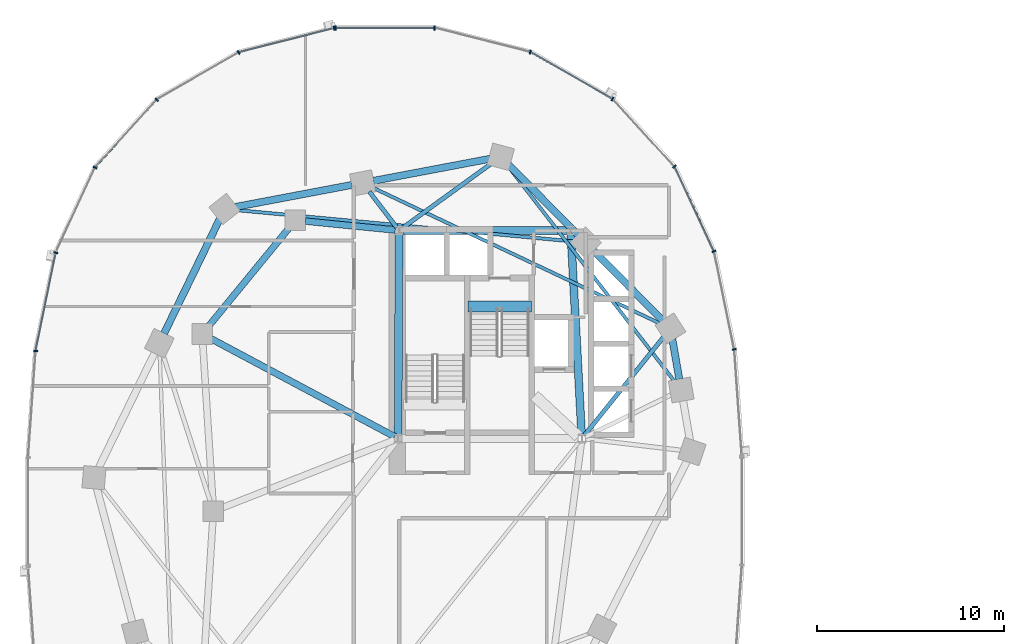
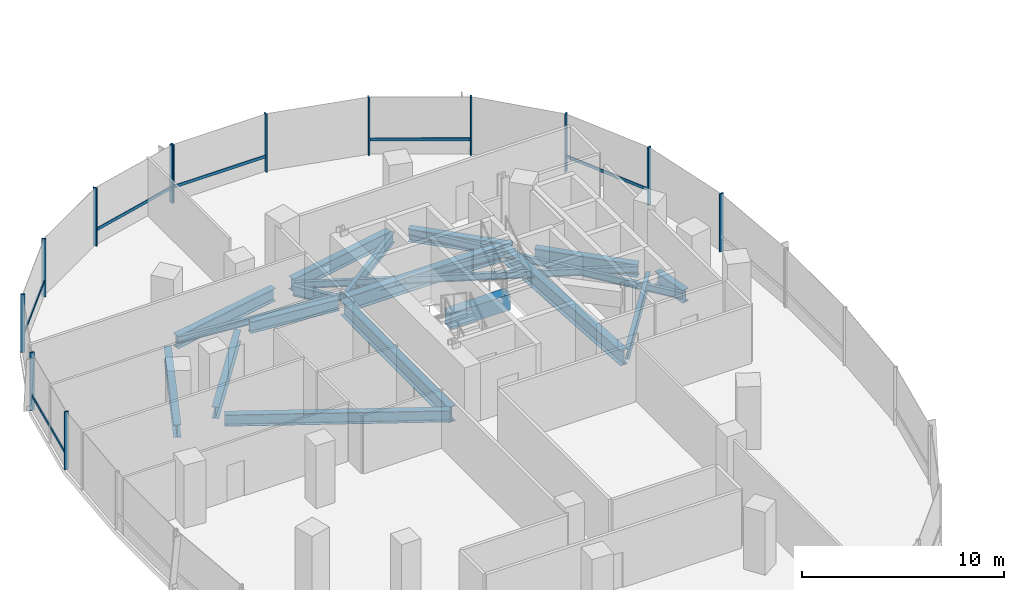
# One storey, part 4 of 21: 19 beams, 19 members, 2 elements without a shape of their own.
"""IFC4 building model written with IfcOpenShell, lengths in metres."""

from ifc_helpers import new_model, si_unit, direction, frame, origin, origin_2d, place, context, subcontext, project, spatial, rectangle, i_section, extrude, material, material_profile, profile_set, type_object, element, aggregate, save


model = new_model("IFC4")

# Units and contexts
model_context = context("Model", 3, precision=1e-05, world=origin(), true_north=direction((0.0, 1.0)))
body_context = subcontext(model_context, "Body", "Model", "MODEL_VIEW")
ifc_project = project(units=[si_unit("LENGTHUNIT", "METRE"), si_unit("AREAUNIT", "SQUARE_METRE"), si_unit("VOLUMEUNIT", "CUBIC_METRE"), si_unit("PLANEANGLEUNIT", "RADIAN"), si_unit("MASSUNIT", "GRAM", prefix="KILO"), si_unit("THERMODYNAMICTEMPERATUREUNIT", "KELVIN"), si_unit("POWERUNIT", "WATT")], contexts=[model_context])

# Site, building, storey
site_placement = place(None, origin())
site = spatial("IfcSite", under=ifc_project, at=site_placement, CompositionType="ELEMENT")
building_placement = place(site_placement, origin())
building = spatial("IfcBuilding", under=site, at=building_placement, Name="Cundina Bronze Exchange", CompositionType="ELEMENT")
storey_placement = place(building_placement, frame((0.0, 0.0, 27.800048828125)))
storey = spatial("IfcBuildingStorey", under=building, at=storey_placement, Name="L06", CompositionType="ELEMENT", Elevation=27.800048828125)

# Beams
ifc_material_1 = material(Name="Concrete C60/75", Category="concrete")
ifc_material_profile_1 = material_profile(ifc_material_1, rectangle(XDim=0.60009765625, YDim=0.949951171875, at=origin_2d()), Name="RC600X950", Category="concrete")
ifc_profile_set_1 = profile_set([ifc_material_profile_1], Name="Concrete C60/75")
beam_type_1 = type_object("IfcBeamType", Name="BM-COUP-RC950", PredefinedType="LINTEL", material=ifc_profile_set_1)
beam_1_placement = place(storey_placement, frame((-27.56005859375, 10.97998046875, -0.47509765625), z_axis=(1.0, 0.0, 0.0), x_axis=(0.0, 1.0, 0.0)))
element("IfcBeam", 1, at=beam_1_placement, inside=storey, type_object=beam_type_1, Name="L06 Stair W2 Landing Header Beam", PredefinedType="LINTEL", context=body_context, shape_type="SweptSolid", body=[
    extrude(rectangle(XDim=0.60009765625, YDim=0.949951171875, at=origin_2d()), origin(), (0.0, 0.0, 1.0), 3.400146484375),
])
ifc_material_2 = material(Name="Steel ASTM A992 Grade 50", Category="steel")
ifc_material_profile_2 = material_profile(ifc_material_2, i_section(OverallWidth=0.22998046875, OverallDepth=0.616943359375, WebThickness=0.01318359375, FlangeThickness=0.022216796875, FilletRadius=0.013916015625, at=origin_2d()), Name="W24X94", Category="steel")
ifc_profile_set_2 = profile_set([ifc_material_profile_2], Name="Steel ASTM A992 Grade 50")
beam_type_2 = type_object("IfcBeamType", Name="BM-FLR-W24B", PredefinedType="BEAM", material=ifc_profile_set_2)
beam_2_placement = place(storey_placement, frame((-21.322021484375, 4.058837890625, -0.608642578125), z_axis=(0.627106366175, 0.778933633568, 0.0), x_axis=(-0.778933633568, 0.627106366175, 0.0)))
element("IfcBeam", 2, at=beam_2_placement, inside=storey, type_object=beam_type_2, Name="L06 Leg W Radial Floor Beam 02", PredefinedType="BEAM", context=body_context, shape_type="SweptSolid", body=[
    extrude(i_section(OverallWidth=0.22998046875, OverallDepth=0.616943359375, WebThickness=0.01318359375, FlangeThickness=0.022216796875, FilletRadius=0.013916015625, at=origin_2d()), origin(), (0.0, 0.0, 1.0), 6.78271484375),
])
beam_3_placement = place(storey_placement, frame((-31.084716796875, 15.169677734375, -0.608642578125), z_axis=(0.809700299677, 0.586843611794, 0.0), x_axis=(-0.586843611794, 0.809700299677, 0.0)))
element("IfcBeam", 3, at=beam_3_placement, inside=storey, type_object=beam_type_2, Name="L06 Leg W Radial Floor Beam 04", PredefinedType="BEAM", context=body_context, shape_type="SweptSolid", body=[
    extrude(i_section(OverallWidth=0.22998046875, OverallDepth=0.616943359375, WebThickness=0.01318359375, FlangeThickness=0.022216796875, FilletRadius=0.013916015625, at=origin_2d()), origin(), (0.0, 0.0, 1.0), 5.938720703125),
])
beam_4_placement = place(storey_placement, frame((-31.373779296875, 15.2119140625, -0.608642578125), z_axis=(-0.607468844289, 0.794343504548, 0.0), x_axis=(-0.794343504548, -0.607468844289, 0.0)))
element("IfcBeam", 4, at=beam_4_placement, inside=storey, type_object=beam_type_2, Name="L06 Leg W Radial Floor Beam 05", PredefinedType="BEAM", context=body_context, shape_type="SweptSolid", body=[
    extrude(i_section(OverallWidth=0.22998046875, OverallDepth=0.616943359375, WebThickness=0.01318359375, FlangeThickness=0.022216796875, FilletRadius=0.013916015625, at=origin_2d()), origin(), (0.0, 0.0, 1.0), 2.418212890625),
])
ifc_material_profile_3 = material_profile(ifc_material_2, i_section(OverallWidth=0.178955078125, OverallDepth=0.409912109375, WebThickness=0.0087890625, FlangeThickness=0.014404296875, FilletRadius=0.010986328125, at=origin_2d()), Name="W16X45", Category="steel")
ifc_profile_set_3 = profile_set([ifc_material_profile_3], Name="Steel ASTM A992 Grade 50")
beam_type_3 = type_object("IfcBeamType", Name="BM-JST-W16", PredefinedType="JOIST", material=ifc_profile_set_3)
beam_5_placement = place(storey_placement, frame((-16.48486328125, 6.965087890625, -0.505126953125), z_axis=(-0.612089386305, 0.790788583108, 0.0), x_axis=(-0.790788583108, -0.612089386305, 0.0)))
element("IfcBeam", 5, at=beam_5_placement, inside=storey, type_object=beam_type_3, Name="L06 Leg W Lobe Floor Joist 01-04", PredefinedType="JOIST", context=body_context, shape_type="SweptSolid", body=[
    extrude(i_section(OverallWidth=0.178955078125, OverallDepth=0.409912109375, WebThickness=0.0087890625, FlangeThickness=0.014404296875, FilletRadius=0.010986328125, at=origin_2d()), origin(), (0.0, 0.0, 1.0), 14.630859375),
])
beam_6_placement = place(storey_placement, frame((-17.231689453125, 10.05126953125, -0.505126953125), z_axis=(-0.904072668297, 0.427378766949, 0.0), x_axis=(-0.427378766949, -0.904072668297, 0.0)))
element("IfcBeam", 6, at=beam_6_placement, inside=storey, type_object=beam_type_3, Name="L06 Leg W Lobe Floor Joist 02-05", PredefinedType="JOIST", context=body_context, shape_type="SweptSolid", body=[
    extrude(i_section(OverallWidth=0.178955078125, OverallDepth=0.409912109375, WebThickness=0.0087890625, FlangeThickness=0.014404296875, FilletRadius=0.010986328125, at=origin_2d()), origin(), (0.0, 0.0, 1.0), 17.07470703125),
])
beam_7_placement = place(storey_placement, frame((-21.83544921875, 14.45458984375, -0.505126953125), z_axis=(-0.995701961644, 0.09261535282, 0.0), x_axis=(-0.09261535282, -0.995701961644, 0.0)))
element("IfcBeam", 7, at=beam_7_placement, inside=storey, type_object=beam_type_3, Name="L06 Leg W Lobe Floor Joist 03-06", PredefinedType="JOIST", context=body_context, shape_type="SweptSolid", body=[
    extrude(i_section(OverallWidth=0.178955078125, OverallDepth=0.409912109375, WebThickness=0.0087890625, FlangeThickness=0.014404296875, FilletRadius=0.010986328125, at=origin_2d()), origin(), (0.0, 0.0, 1.0), 18.25732421875),
])
ifc_material_profile_4 = material_profile(ifc_material_2, i_section(OverallWidth=0.35498046875, OverallDepth=0.695068359375, WebThickness=0.015380859375, FlangeThickness=0.02490234375, FilletRadius=0.01806640625, at=origin_2d()), Name="W27X146", Category="steel")
ifc_profile_set_4 = profile_set([ifc_material_profile_4], Name="Steel ASTM A992 Grade 50")
beam_type_4 = type_object("IfcBeamType", Name="BM-RING-W27", PredefinedType="USERDEFINED", material=ifc_profile_set_4)
beam_8_placement = place(storey_placement, frame((-31.452880859375, 15.070068359375, -0.6474609375), z_axis=(-0.995126271817, 0.098608839051, 0.0), x_axis=(-0.098608839051, -0.995126271817, 0.0)))
element("IfcBeam", 8, at=beam_8_placement, inside=storey, type_object=beam_type_4, Name="L06 W Inner Structural Ring Girder 01", ObjectType="GIRDER", PredefinedType="USERDEFINED", context=body_context, shape_type="SweptSolid", body=[
    extrude(i_section(OverallWidth=0.35498046875, OverallDepth=0.695068359375, WebThickness=0.015380859375, FlangeThickness=0.02490234375, FilletRadius=0.01806640625, at=origin_2d()), origin(), (0.0, 0.0, 1.0), 4.83544921875),
])
beam_9_placement = place(storey_placement, frame((-37.14111328125, 15.183837890625, -0.6474609375), z_axis=(-0.633926549035, -0.773393257295, 0.0), x_axis=(0.773393257295, -0.633926549035, 0.0)))
element("IfcBeam", 9, at=beam_9_placement, inside=storey, type_object=beam_type_4, Name="L06 W Inner Structural Ring Girder 02", ObjectType="GIRDER", PredefinedType="USERDEFINED", context=body_context, shape_type="SweptSolid", body=[
    extrude(i_section(OverallWidth=0.35498046875, OverallDepth=0.695068359375, WebThickness=0.015380859375, FlangeThickness=0.02490234375, FilletRadius=0.01806640625, at=origin_2d()), origin(), (0.0, 0.0, 1.0), 6.811279296875),
])
beam_10_placement = place(storey_placement, frame((-31.47998046875, 3.99609375, -0.6474609375), z_axis=(-0.882354758239, 0.470584828286, 0.0), x_axis=(-0.470584828286, -0.882354758239, 0.0)))
element("IfcBeam", 10, at=beam_10_placement, inside=storey, type_object=beam_type_4, Name="L06 W Core-to-Waist Tie Beam 2", ObjectType="GIRDER", PredefinedType="USERDEFINED", context=body_context, shape_type="SweptSolid", body=[
    extrude(i_section(OverallWidth=0.35498046875, OverallDepth=0.695068359375, WebThickness=0.015380859375, FlangeThickness=0.02490234375, FilletRadius=0.01806640625, at=origin_2d()), origin(), (0.0, 0.0, 1.0), 11.157958984375),
])
ifc_material_profile_5 = material_profile(ifc_material_2, i_section(OverallWidth=0.381103515625, OverallDepth=0.77294921875, WebThickness=0.0166015625, FlangeThickness=0.027099609375, FilletRadius=0.01904296875, at=origin_2d()), Name="W30X173", Category="steel")
ifc_profile_set_5 = profile_set([ifc_material_profile_5], Name="Steel ASTM A992 Grade 50")
beam_type_5 = type_object("IfcBeamType", Name="BM-RING-W30", PredefinedType="USERDEFINED", material=ifc_profile_set_5)
beam_11_placement = place(storey_placement, frame((-16.225830078125, 7.079345703125, -0.6865234375), z_axis=(-0.171734584051, 0.985143254883, 0.0), x_axis=(-0.985143254883, -0.171734584051, 0.0)))
element("IfcBeam", 11, at=beam_11_placement, inside=storey, type_object=beam_type_5, Name="L06 W Perimeter Ring Girder 01", ObjectType="GIRDER", PredefinedType="USERDEFINED", context=body_context, shape_type="SweptSolid", body=[
    extrude(i_section(OverallWidth=0.381103515625, OverallDepth=0.77294921875, WebThickness=0.0166015625, FlangeThickness=0.027099609375, FilletRadius=0.01904296875, at=origin_2d()), origin(), (0.0, 0.0, 1.0), 2.173583984375),
])
for number, where, z_axis, x_axis, name in (
    (12, (-17.113525390625, 10.218017578125, -0.6865234375), (-0.703222428859, 0.710969911845, 0.0), (-0.710969911845, -0.703222428859, 0.0), "L06 W Perimeter Ring Girder 02"),
    (13, (-21.66357421875, 14.818115234375, -0.6865234375), (-0.703222428859, 0.710969911845, 0.0), (-0.710969911845, -0.703222428859, 0.0), "L06 W Perimeter Ring Girder 03"),
):
    element("IfcBeam", number, at=place(storey_placement, frame(where, z_axis=z_axis, x_axis=x_axis)), inside=storey, type_object=beam_type_5, Name=name, ObjectType="GIRDER", PredefinedType="USERDEFINED", context=body_context, shape_type="SweptSolid", body=[
        extrude(i_section(OverallWidth=0.381103515625, OverallDepth=0.77294921875, WebThickness=0.0166015625, FlangeThickness=0.027099609375, FilletRadius=0.01904296875, at=origin_2d()), origin(), (0.0, 0.0, 1.0), 5.2939453125),
    ])
beam_12_placement = place(storey_placement, frame((-26.377685546875, 18.890625, -0.6865234375), z_axis=(-0.982570814598, -0.185888661031, 0.0), x_axis=(0.185888661031, -0.982570814598, 0.0)))
element("IfcBeam", 14, at=beam_12_placement, inside=storey, type_object=beam_type_5, Name="L06 W Perimeter Ring Girder 04", ObjectType="GIRDER", PredefinedType="USERDEFINED", context=body_context, shape_type="SweptSolid", body=[
    extrude(i_section(OverallWidth=0.381103515625, OverallDepth=0.77294921875, WebThickness=0.0166015625, FlangeThickness=0.027099609375, FilletRadius=0.01904296875, at=origin_2d()), origin(), (0.0, 0.0, 1.0), 6.35546875),
])
beam_13_placement = place(storey_placement, frame((-33.77783203125, 17.49072265625, -0.6865234375), z_axis=(-0.982569487119, -0.185895677686, 0.0), x_axis=(0.185895677686, -0.982569487119, 0.0)))
element("IfcBeam", 15, at=beam_13_placement, inside=storey, type_object=beam_type_5, Name="L06 W Perimeter Ring Girder 05", ObjectType="GIRDER", PredefinedType="USERDEFINED", context=body_context, shape_type="SweptSolid", body=[
    extrude(i_section(OverallWidth=0.381103515625, OverallDepth=0.77294921875, WebThickness=0.0166015625, FlangeThickness=0.027099609375, FilletRadius=0.01904296875, at=origin_2d()), origin(), (0.0, 0.0, 1.0), 6.355224609375),
])
beam_14_placement = place(storey_placement, frame((-40.857177734375, 15.671142578125, -0.6865234375), z_axis=(-0.437190698904, -0.899368830231, 0.0), x_axis=(0.899368830231, -0.437190698904, 0.0)))
element("IfcBeam", 16, at=beam_14_placement, inside=storey, type_object=beam_type_5, Name="L06 W Perimeter Ring Girder 06", ObjectType="GIRDER", PredefinedType="USERDEFINED", context=body_context, shape_type="SweptSolid", body=[
    extrude(i_section(OverallWidth=0.381103515625, OverallDepth=0.77294921875, WebThickness=0.0166015625, FlangeThickness=0.027099609375, FilletRadius=0.01904296875, at=origin_2d()), origin(), (0.0, 0.0, 1.0), 6.82958984375),
])
ifc_material_profile_6 = material_profile(ifc_material_2, i_section(OverallWidth=0.41796875, OverallDepth=0.927001953125, WebThickness=0.019287109375, FlangeThickness=0.031982421875, FilletRadius=0.02392578125, at=origin_2d()), Name="W36X231", Category="steel")
ifc_profile_set_6 = profile_set([ifc_material_profile_6], Name="Steel ASTM A992 Grade 50")
beam_type_6 = type_object("IfcBeamType", Name="BM-WRN-W36B", PredefinedType="USERDEFINED", material=ifc_profile_set_6)
beam_15_placement = place(storey_placement, frame((-21.4609375, 4.103759765625, -0.763427734375), z_axis=(-0.053739193498, 0.998555005537, 0.0), x_axis=(-0.998555005537, -0.053739193498, 0.0)))
element("IfcBeam", 17, at=beam_15_placement, inside=storey, type_object=beam_type_6, Name="L06 W Core Perimeter Tie Girder 2", ObjectType="GIRDER", PredefinedType="USERDEFINED", context=body_context, shape_type="SweptSolid", body=[
    extrude(i_section(OverallWidth=0.41796875, OverallDepth=0.927001953125, WebThickness=0.019287109375, FlangeThickness=0.031982421875, FilletRadius=0.02392578125, at=origin_2d()), origin(), (0.0, 0.0, 1.0), 10.758056640625),
])
beam_16_placement = place(storey_placement, frame((-22.25390625, 15.050048828125, -0.763427734375), z_axis=(-1.0, 0.0, 0.0), x_axis=(0.0, -1.0, 0.0)))
element("IfcBeam", 18, at=beam_16_placement, inside=storey, type_object=beam_type_6, Name="L06 W Core Perimeter Tie Girder 3", ObjectType="GIRDER", PredefinedType="USERDEFINED", context=body_context, shape_type="SweptSolid", body=[
    extrude(i_section(OverallWidth=0.41796875, OverallDepth=0.927001953125, WebThickness=0.019287109375, FlangeThickness=0.031982421875, FilletRadius=0.02392578125, at=origin_2d()), origin(), (0.0, 0.0, 1.0), 8.7919921875),
])
beam_17_placement = place(storey_placement, frame((-31.2509765625, 14.845947265625, -0.763427734375), z_axis=(-0.004477329608, -0.99998997671, 0.0), x_axis=(0.99998997671, -0.004477329608, 0.0)))
element("IfcBeam", 19, at=beam_17_placement, inside=storey, type_object=beam_type_6, Name="L06 W Core Perimeter Tie Girder 4", ObjectType="GIRDER", PredefinedType="USERDEFINED", context=body_context, shape_type="SweptSolid", body=[
    extrude(i_section(OverallWidth=0.41796875, OverallDepth=0.927001953125, WebThickness=0.019287109375, FlangeThickness=0.031982421875, FilletRadius=0.02392578125, at=origin_2d()), origin(), (0.0, 0.0, 1.0), 10.741943359375),
])

# Curtain wall, members
ifc_material_3 = material(Name="Anodised Bronze Aluminium 6063-T6", Category="aluminium")
curtain_wall_type = type_object("IfcCurtainWallType", Name="CWS-TRD-LOW", PredefinedType="NOTDEFINED", material=ifc_material_3)
curtain_wall_1_placement = place(storey_placement, origin())
curtain_wall_1 = element("IfcCurtainWall", 20, at=curtain_wall_1_placement, inside=storey, type_object=curtain_wall_type, Name="L06 CW-02 Curtain Wall Run CWR-L06-W1", PredefinedType="NOTDEFINED")
ifc_material_profile_7 = material_profile(ifc_material_3, rectangle(XDim=0.074951171875, YDim=0.219970703125, at=origin_2d()), Name="AL75X220", Category="aluminium")
ifc_profile_set_7 = profile_set([ifc_material_profile_7], Name="Anodised Bronze Aluminium 6063-T6")
member_type_1 = type_object("IfcMemberType", Name="CWM-MUL-220", PredefinedType="MULLION", material=ifc_profile_set_7)
member_1_placement = place(storey_placement, frame((-13.282958984375, 8.67822265625, 0.0), z_axis=(0.0, 0.0, 1.0), x_axis=(-0.201419845156, 0.979505000486, 0.0)))
member_1 = element("IfcMember", 21, at=member_1_placement, type_object=member_type_1, Name="CW-02 Mullion 2", PredefinedType="MULLION", context=body_context, shape_type="SweptSolid", body=[
    extrude(rectangle(XDim=0.074951171875, YDim=0.219970703125, at=origin_2d()), origin(), (0.0, 0.0, 1.0), 3.5),
])
member_2_placement = place(storey_placement, frame((-14.3720703125, 13.931884765625, 0.0), z_axis=(0.0, 0.0, 1.0), x_axis=(-0.42087749791, 0.907117485088, 0.0)))
member_2 = element("IfcMember", 22, at=member_2_placement, type_object=member_type_1, Name="CW-02 Mullion 3", PredefinedType="MULLION", context=body_context, shape_type="SweptSolid", body=[
    extrude(rectangle(XDim=0.074951171875, YDim=0.219970703125, at=origin_2d()), origin(), (0.0, 0.0, 1.0), 3.5),
])
member_3_placement = place(storey_placement, frame((-16.491455078125, 18.47705078125, 0.0), z_axis=(0.0, 0.0, 1.0), x_axis=(-0.674302387584, 0.738455340626, 0.0)))
member_3 = element("IfcMember", 23, at=member_3_placement, type_object=member_type_1, Name="CW-02 Mullion 4", PredefinedType="MULLION", context=body_context, shape_type="SweptSolid", body=[
    extrude(rectangle(XDim=0.074951171875, YDim=0.219970703125, at=origin_2d()), origin(), (0.0, 0.0, 1.0), 3.5),
])
member_4_placement = place(storey_placement, frame((-19.810302734375, 22.097412109375, 0.0), z_axis=(0.0, 0.0, 1.0), x_axis=(-0.867070701164, 0.498185105339, 0.0)))
member_4 = element("IfcMember", 24, at=member_4_placement, type_object=member_type_1, Name="CW-02 Mullion 5", PredefinedType="MULLION", context=body_context, shape_type="SweptSolid", body=[
    extrude(rectangle(XDim=0.074951171875, YDim=0.219970703125, at=origin_2d()), origin(), (0.0, 0.0, 1.0), 3.5),
])
member_5_placement = place(storey_placement, frame((-24.21484375, 24.61669921875, 0.0), z_axis=(0.0, 0.0, 1.0), x_axis=(-0.969488149345, 0.245138182011, 0.0)))
member_5 = element("IfcMember", 25, at=member_5_placement, type_object=member_type_1, Name="CW-02 Mullion 6", PredefinedType="MULLION", context=body_context, shape_type="SweptSolid", body=[
    extrude(rectangle(XDim=0.074951171875, YDim=0.219970703125, at=origin_2d()), origin(), (0.0, 0.0, 1.0), 3.5),
])
member_6_placement = place(storey_placement, frame((-29.345458984375, 25.905029296875, 0.0), z_axis=(0.0, 0.0, 1.0), x_axis=(-1.0, 0.0, 0.0)))
member_6 = element("IfcMember", 26, at=member_6_placement, type_object=member_type_1, Name="CW-02 Mullion 7", PredefinedType="MULLION", context=body_context, shape_type="SweptSolid", body=[
    extrude(rectangle(XDim=0.074951171875, YDim=0.219970703125, at=origin_2d()), origin(), (0.0, 0.0, 1.0), 3.5),
])
member_7_placement = place(storey_placement, frame((-34.654541015625, 25.905029296875, 0.0), z_axis=(0.0, 0.0, 1.0), x_axis=(-1.0, 0.0, 0.0)))
member_7 = element("IfcMember", 27, at=member_7_placement, type_object=member_type_1, Name="CW-02 End Mullion", PredefinedType="MULLION", context=body_context, shape_type="SweptSolid", body=[
    extrude(rectangle(XDim=0.074951171875, YDim=0.219970703125, at=origin_2d()), origin(), (0.0, 0.0, 1.0), 3.5),
])

curtain_wall_2_placement = place(storey_placement, origin())
curtain_wall_2 = element("IfcCurtainWall", 28, at=curtain_wall_2_placement, inside=storey, type_object=curtain_wall_type, Name="L06 CW-02 Curtain Wall Run CWR-L06-W2", PredefinedType="NOTDEFINED")
member_8_placement = place(storey_placement, frame((-34.72607421875, 25.89599609375, 0.0), z_axis=(0.0, 0.0, 1.0), x_axis=(-0.969488149345, -0.245138182011, 0.0)))
member_8 = element("IfcMember", 29, at=member_8_placement, type_object=member_type_1, Name="CW-02 Mullion 1", PredefinedType="MULLION", context=body_context, shape_type="SweptSolid", body=[
    extrude(rectangle(XDim=0.074951171875, YDim=0.219970703125, at=origin_2d()), origin(), (0.0, 0.0, 1.0), 3.5),
])
member_9_placement = place(storey_placement, frame((-39.848876953125, 24.591064453125, 0.0), z_axis=(0.0, 0.0, 1.0), x_axis=(-0.867070701164, -0.498185105339, 0.0)))
member_9 = element("IfcMember", 30, at=member_9_placement, type_object=member_type_1, Name="CW-02 Mullion 2", PredefinedType="MULLION", context=body_context, shape_type="SweptSolid", body=[
    extrude(rectangle(XDim=0.074951171875, YDim=0.219970703125, at=origin_2d()), origin(), (0.0, 0.0, 1.0), 3.5),
])
member_10_placement = place(storey_placement, frame((-44.239501953125, 22.0576171875, 0.0), z_axis=(0.0, 0.0, 1.0), x_axis=(-0.674302387584, -0.738455340626, 0.0)))
member_10 = element("IfcMember", 31, at=member_10_placement, type_object=member_type_1, Name="CW-02 Mullion 3", PredefinedType="MULLION", context=body_context, shape_type="SweptSolid", body=[
    extrude(rectangle(XDim=0.074951171875, YDim=0.219970703125, at=origin_2d()), origin(), (0.0, 0.0, 1.0), 3.5),
])
member_11_placement = place(storey_placement, frame((-47.544189453125, 18.423583984375, 0.0), z_axis=(0.0, 0.0, 1.0), x_axis=(-0.42087749791, -0.907117485088, 0.0)))
member_11 = element("IfcMember", 32, at=member_11_placement, type_object=member_type_1, Name="CW-02 Mullion 4", PredefinedType="MULLION", context=body_context, shape_type="SweptSolid", body=[
    extrude(rectangle(XDim=0.074951171875, YDim=0.219970703125, at=origin_2d()), origin(), (0.0, 0.0, 1.0), 3.5),
])
member_12_placement = place(storey_placement, frame((-49.651123046875, 13.861328125, 0.0), z_axis=(0.0, 0.0, 1.0), x_axis=(-0.201419845156, -0.979505000486, 0.0)))
member_12 = element("IfcMember", 33, at=member_12_placement, type_object=member_type_1, Name="CW-02 Mullion 5", PredefinedType="MULLION", context=body_context, shape_type="SweptSolid", body=[
    extrude(rectangle(XDim=0.074951171875, YDim=0.219970703125, at=origin_2d()), origin(), (0.0, 0.0, 1.0), 3.5),
])
member_13_placement = place(storey_placement, frame((-50.72900390625, 8.591552734375, 0.0), z_axis=(0.0, 0.0, 1.0), x_axis=(-0.070278787473, -0.997527389113, 0.0)))
member_13 = element("IfcMember", 34, at=member_13_placement, type_object=member_type_1, Name="CW-02 Mullion 6", PredefinedType="MULLION", context=body_context, shape_type="SweptSolid", body=[
    extrude(rectangle(XDim=0.074951171875, YDim=0.219970703125, at=origin_2d()), origin(), (0.0, 0.0, 1.0), 3.5),
])

# Member
ifc_material_profile_8 = material_profile(ifc_material_3, rectangle(XDim=0.070068359375, YDim=0.179931640625, at=origin_2d()), Name="AL70X180", Category="aluminium")
ifc_profile_set_8 = profile_set([ifc_material_profile_8], Name="Anodised Bronze Aluminium 6063-T6")
member_type_2 = type_object("IfcMemberType", Name="CWM-TRN-180", PredefinedType="USERDEFINED", material=ifc_profile_set_8)
member_14_placement = place(storey_placement, frame((-14.389404296875, 13.96923828125, 0.919921875), z_axis=(-0.420811422796, 0.907148139195, 0.0), x_axis=(-0.907148139195, -0.420811422796, 0.0)))
member_14 = element("IfcMember", 35, at=member_14_placement, type_object=member_type_2, Name="CW-02 Spandrel Transom 3", ObjectType="TRANSOM", PredefinedType="USERDEFINED", context=body_context, shape_type="SweptSolid", body=[
    extrude(rectangle(XDim=0.070068359375, YDim=0.179931640625, at=origin_2d()), origin(), (0.0, 0.0, 1.0), 4.95166015625),
])

member_15_placement = place(storey_placement, frame((-19.845947265625, 22.117919921875, 0.919921875), z_axis=(-0.867097475651, 0.498138502546, 0.0), x_axis=(-0.498138502546, -0.867097475651, 0.0)))
member_15 = element("IfcMember", 36, at=member_15_placement, type_object=member_type_2, Name="CW-02 Spandrel Transom 5", ObjectType="TRANSOM", PredefinedType="USERDEFINED", context=body_context, shape_type="SweptSolid", body=[
    extrude(rectangle(XDim=0.070068359375, YDim=0.179931640625, at=origin_2d()), origin(), (0.0, 0.0, 1.0), 5.00634765625),
])

member_16_placement = place(storey_placement, frame((-29.38671875, 25.905029296875, 0.919921875), z_axis=(-1.0, 0.0, 0.0), x_axis=(0.0, -1.0, 0.0)))
member_16 = element("IfcMember", 37, at=member_16_placement, type_object=member_type_2, Name="CW-02 Spandrel Transom 7", ObjectType="TRANSOM", PredefinedType="USERDEFINED", context=body_context, shape_type="SweptSolid", body=[
    extrude(rectangle(XDim=0.070068359375, YDim=0.179931640625, at=origin_2d()), origin(), (0.0, 0.0, 1.0), 5.2265625),
])

aggregate(curtain_wall_1, [member_1, member_2, member_14, member_3, member_4, member_15, member_5, member_6, member_7, member_16])

member_17_placement = place(storey_placement, frame((-34.76611328125, 25.885986328125, 0.919921875), z_axis=(-0.969483968866, -0.245154714644, 0.0), x_axis=(0.245154714644, -0.969483968866, 0.0)))
member_17 = element("IfcMember", 38, at=member_17_placement, type_object=member_type_2, Name="CW-02 Spandrel Transom 1", ObjectType="TRANSOM", PredefinedType="USERDEFINED", context=body_context, shape_type="SweptSolid", body=[
    extrude(rectangle(XDim=0.070068359375, YDim=0.179931640625, at=origin_2d()), origin(), (0.0, 0.0, 1.0), 5.21826171875),
])

member_18_placement = place(storey_placement, frame((-44.26708984375, 22.027099609375, 0.919921875), z_axis=(-0.674302794847, -0.738454968743, 0.0), x_axis=(0.738454968743, -0.674302794847, 0.0)))
member_18 = element("IfcMember", 39, at=member_18_placement, type_object=member_type_2, Name="CW-02 Spandrel Transom 3", ObjectType="TRANSOM", PredefinedType="USERDEFINED", context=body_context, shape_type="SweptSolid", body=[
    extrude(rectangle(XDim=0.070068359375, YDim=0.179931640625, at=origin_2d()), origin(), (0.0, 0.0, 1.0), 4.848388671875),
])

member_19_placement = place(storey_placement, frame((-49.659423828125, 13.821044921875, 0.919921875), z_axis=(-0.201427712708, -0.979503382615, 0.0), x_axis=(0.979503382615, -0.201427712708, 0.0)))
member_19 = element("IfcMember", 40, at=member_19_placement, type_object=member_type_2, Name="CW-02 Spandrel Transom 5", ObjectType="TRANSOM", PredefinedType="USERDEFINED", context=body_context, shape_type="SweptSolid", body=[
    extrude(rectangle(XDim=0.070068359375, YDim=0.179931640625, at=origin_2d()), origin(), (0.0, 0.0, 1.0), 5.291748046875),
])

aggregate(curtain_wall_2, [member_8, member_17, member_9, member_10, member_18, member_11, member_12, member_19, member_13])

save(model, "model.ifc")
